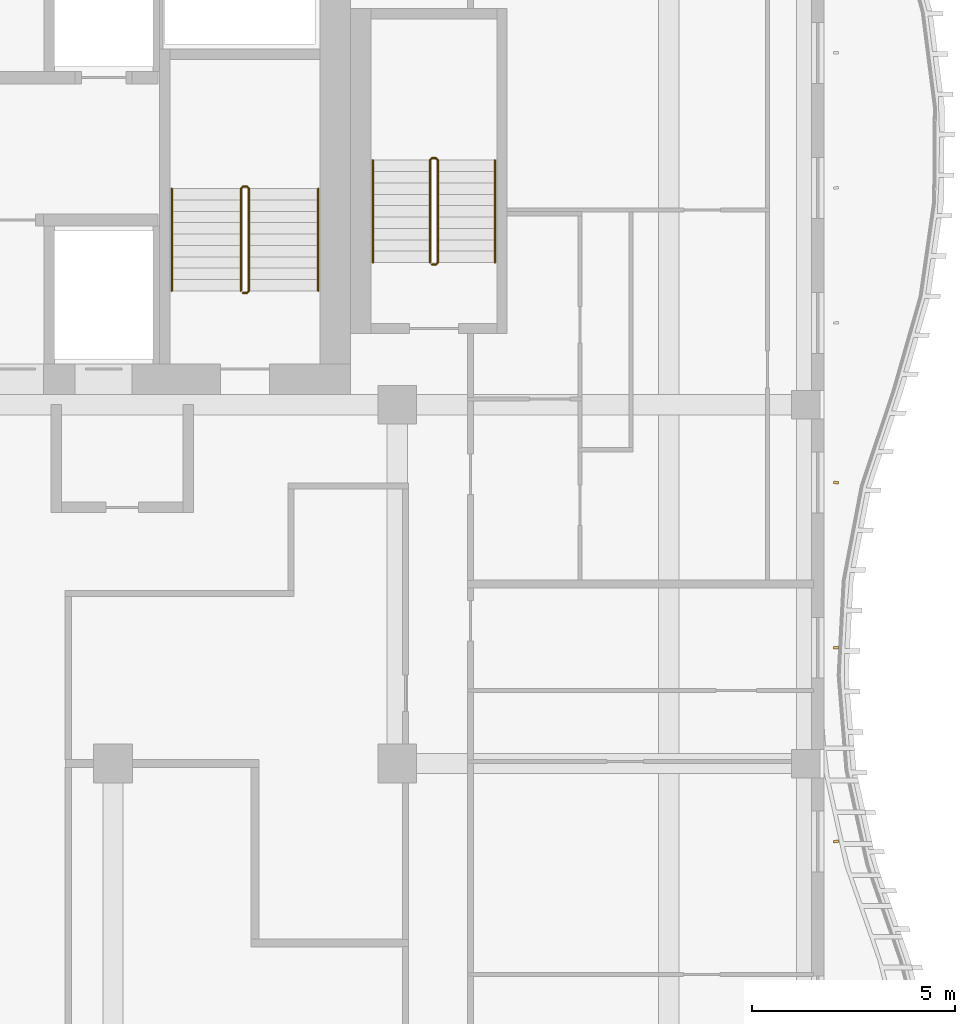
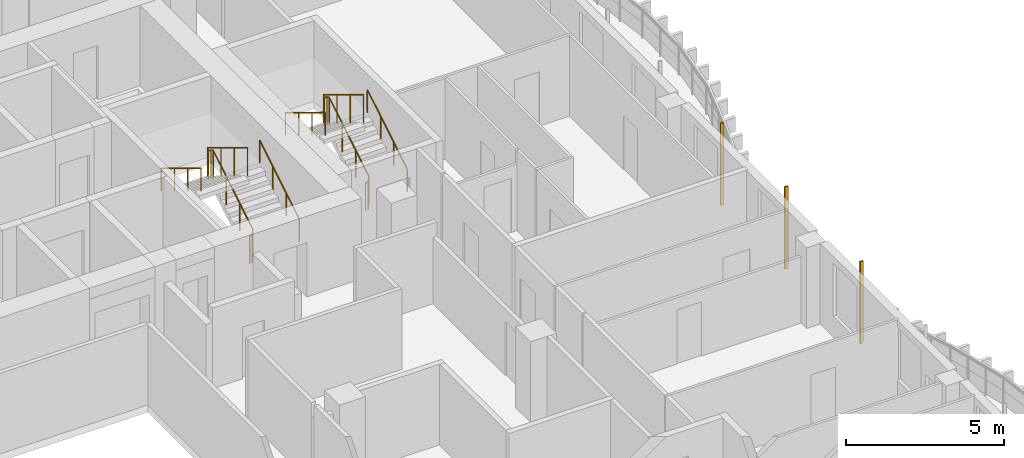
# One storey, part 17 of 19: 6 railings, 3 shading devices.
"""IFC4 building model written with IfcOpenShell, lengths in metres."""

from ifc_helpers import new_model, si_unit, direction, frame, origin, origin_2d, place, context, subcontext, project, spatial, rectangle, circle, extrude, source, transform, mapped, material, material_profile, profile_set, type_object, element, save


model = new_model("IFC4")

# Units and contexts
model_context = context("Model", 3, precision=1e-05, world=origin(), true_north=direction((0.0, 1.0)))
body_context = subcontext(model_context, "Body", "Model", "MODEL_VIEW")
ifc_project = project(units=[si_unit("LENGTHUNIT", "METRE"), si_unit("AREAUNIT", "SQUARE_METRE"), si_unit("VOLUMEUNIT", "CUBIC_METRE"), si_unit("PLANEANGLEUNIT", "RADIAN"), si_unit("MASSUNIT", "GRAM", prefix="KILO")], contexts=[model_context])

# Site, building, storey
site_placement = place(None, origin())
site = spatial("IfcSite", under=ifc_project, at=site_placement, CompositionType="ELEMENT")
building_placement = place(site_placement, origin())
building = spatial("IfcBuilding", under=site, at=building_placement, Name="Kilnfold Tower and Market Hall", CompositionType="ELEMENT")
storey_placement = place(building_placement, frame((0.0, 0.0, 252.60009765625)))
storey = spatial("IfcBuildingStorey", under=building, at=storey_placement, Name="L61", CompositionType="ELEMENT", Elevation=252.60009765625)

# Railings
ifc_material_1 = material(Name="Stainless steel 316", Category="steel")
railing_type_1 = type_object("IfcRailingType", Name="CORE STAIR GUARD 1100", PredefinedType="GUARDRAIL", material=ifc_material_1)
railing_1_placement = place(storey_placement, frame((15.199951171875, 10.75, 0.0)))
element("IfcRailing", 1, at=railing_1_placement, inside=storey, type_object=railing_type_1, Name="L61 ST2 stair guard 1", PredefinedType="GUARDRAIL", context=body_context, shape_type="SweptSolid", body=[
    extrude(circle(Radius=0.02392578125, at=origin_2d()), frame((0.0, 0.0, 1.076171875), z_axis=(1.0, 0.0, 0.0), x_axis=(0.0, 1.0, 0.0)), (0.0, 0.0, 1.0), 0.10009765625),
    extrude(circle(Radius=0.02392578125, at=origin_2d()), frame((0.10009765625, 0.0, 1.076171875), z_axis=(0.271895245746, 0.271895245746, 0.923117517265), x_axis=(-0.707106781187, 0.707106781187, 0.0)), (0.0, 0.0, 1.0), 0.18408203125),
    extrude(circle(Radius=0.02392578125, at=origin_2d()), frame((0.150146484375, 0.050048828125, 1.24609375), z_axis=(0.0, 0.85478489116, 0.518982456201), x_axis=(-1.0, 0.0, 0.0)), (0.0, 0.0, 1.0), 2.9482421875),
    extrude(circle(Radius=0.02392578125, at=origin_2d()), frame((0.150146484375, 2.570068359375, 2.77587890625), z_axis=(-0.707106781187, 0.707106781187, 0.0), x_axis=(-0.707106781187, -0.707106781187, 0.0)), (0.0, 0.0, 1.0), 0.07080078125),
    extrude(circle(Radius=0.02392578125, at=origin_2d()), frame((0.10009765625, 2.6201171875, 2.77587890625), z_axis=(-1.0, 0.0, 0.0), x_axis=(0.0, -1.0, 0.0)), (0.0, 0.0, 1.0), 0.10009765625),
    extrude(circle(Radius=0.02392578125, at=origin_2d()), frame((0.0, 2.6201171875, 2.77587890625), z_axis=(-0.271895245746, -0.271895245746, 0.923117517265), x_axis=(0.707106781187, -0.707106781187, 0.0)), (0.0, 0.0, 1.0), 0.18408203125),
    extrude(circle(Radius=0.02392578125, at=origin_2d()), frame((-0.050048828125, 2.570068359375, 2.94580078125), z_axis=(0.0, -0.85478489116, 0.518982456201), x_axis=(1.0, 0.0, 0.0)), (0.0, 0.0, 1.0), 2.9482421875),
    extrude(circle(Radius=0.02099609375, at=origin_2d()), origin(), (0.0, 0.0, 1.0), 1.052001953125),
    extrude(circle(Radius=0.02099609375, at=origin_2d()), frame((0.10009765625, 0.0, 0.0)), (0.0, 0.0, 1.0), 1.052001953125),
    extrude(circle(Radius=0.02099609375, at=origin_2d()), frame((0.150146484375, 0.050048828125, 0.169921875)), (0.0, 0.0, 1.0), 1.052001953125),
    extrude(circle(Radius=0.02099609375, at=origin_2d()), frame((0.150146484375, 0.89013671875, 0.679931640625)), (0.0, 0.0, 1.0), 1.052001953125),
    extrude(circle(Radius=0.02099609375, at=origin_2d()), frame((0.150146484375, 1.72998046875, 1.18994140625)), (0.0, 0.0, 1.0), 1.052001953125),
    extrude(circle(Radius=0.02099609375, at=origin_2d()), frame((0.150146484375, 2.570068359375, 1.699951171875)), (0.0, 0.0, 1.0), 1.052001953125),
    extrude(circle(Radius=0.02099609375, at=origin_2d()), frame((0.10009765625, 2.6201171875, 1.699951171875)), (0.0, 0.0, 1.0), 1.052001953125),
    extrude(circle(Radius=0.02099609375, at=origin_2d()), frame((0.0, 2.6201171875, 1.699951171875)), (0.0, 0.0, 1.0), 1.052001953125),
    extrude(circle(Radius=0.02099609375, at=origin_2d()), frame((-0.050048828125, 2.570068359375, 1.869873046875)), (0.0, 0.0, 1.0), 1.052001953125),
    extrude(circle(Radius=0.02099609375, at=origin_2d()), frame((-0.050048828125, 1.72998046875, 2.3798828125)), (0.0, 0.0, 1.0), 1.052001953125),
    extrude(circle(Radius=0.02099609375, at=origin_2d()), frame((-0.050048828125, 0.89013671875, 2.889892578125)), (0.0, 0.0, 1.0), 1.052001953125),
    extrude(circle(Radius=0.02099609375, at=origin_2d()), frame((-0.050048828125, 0.050048828125, 3.39990234375)), (0.0, 0.0, 1.0), 1.052001953125),
])
railing_2_placement = place(storey_placement, frame((19.85009765625, 11.449951171875, 0.0)))
element("IfcRailing", 2, at=railing_2_placement, inside=storey, type_object=railing_type_1, Name="L61 ST5 stair guard 1", PredefinedType="GUARDRAIL", context=body_context, shape_type="SweptSolid", body=[
    extrude(circle(Radius=0.02392578125, at=origin_2d()), frame((0.0, 0.0, 1.076171875), z_axis=(1.0, 0.0, 0.0), x_axis=(0.0, 1.0, 0.0)), (0.0, 0.0, 1.0), 0.099853515625),
    extrude(circle(Radius=0.02392578125, at=origin_2d()), frame((0.099853515625, 0.0, 1.076171875), z_axis=(0.271895245746, 0.271895245746, 0.923117517265), x_axis=(-0.707106781187, 0.707106781187, 0.0)), (0.0, 0.0, 1.0), 0.18408203125),
    extrude(circle(Radius=0.02392578125, at=origin_2d()), frame((0.14990234375, 0.050048828125, 1.24609375), z_axis=(0.0, 0.85478489116, 0.518982456201), x_axis=(-1.0, 0.0, 0.0)), (0.0, 0.0, 1.0), 2.9482421875),
    extrude(circle(Radius=0.02392578125, at=origin_2d()), frame((0.14990234375, 2.570068359375, 2.77587890625), z_axis=(-0.707106781187, 0.707106781187, 0.0), x_axis=(-0.707106781187, -0.707106781187, 0.0)), (0.0, 0.0, 1.0), 0.07080078125),
    extrude(circle(Radius=0.02392578125, at=origin_2d()), frame((0.099853515625, 2.6201171875, 2.77587890625), z_axis=(-1.0, 0.0, 0.0), x_axis=(0.0, -1.0, 0.0)), (0.0, 0.0, 1.0), 0.099853515625),
    extrude(circle(Radius=0.02392578125, at=origin_2d()), frame((0.0, 2.6201171875, 2.77587890625), z_axis=(-0.271895245746, -0.271895245746, 0.923117517265), x_axis=(0.707106781187, -0.707106781187, 0.0)), (0.0, 0.0, 1.0), 0.18408203125),
    extrude(circle(Radius=0.02392578125, at=origin_2d()), frame((-0.050048828125, 2.570068359375, 2.94580078125), z_axis=(0.0, -0.85478489116, 0.518982456201), x_axis=(1.0, 0.0, 0.0)), (0.0, 0.0, 1.0), 2.9482421875),
    extrude(circle(Radius=0.02099609375, at=origin_2d()), origin(), (0.0, 0.0, 1.0), 1.052001953125),
    extrude(circle(Radius=0.02099609375, at=origin_2d()), frame((0.099853515625, 0.0, 0.0)), (0.0, 0.0, 1.0), 1.052001953125),
    extrude(circle(Radius=0.02099609375, at=origin_2d()), frame((0.14990234375, 0.050048828125, 0.169921875)), (0.0, 0.0, 1.0), 1.052001953125),
    extrude(circle(Radius=0.02099609375, at=origin_2d()), frame((0.14990234375, 0.89013671875, 0.679931640625)), (0.0, 0.0, 1.0), 1.052001953125),
    extrude(circle(Radius=0.02099609375, at=origin_2d()), frame((0.14990234375, 1.72998046875, 1.18994140625)), (0.0, 0.0, 1.0), 1.052001953125),
    extrude(circle(Radius=0.02099609375, at=origin_2d()), frame((0.14990234375, 2.570068359375, 1.699951171875)), (0.0, 0.0, 1.0), 1.052001953125),
    extrude(circle(Radius=0.02099609375, at=origin_2d()), frame((0.099853515625, 2.6201171875, 1.699951171875)), (0.0, 0.0, 1.0), 1.052001953125),
    extrude(circle(Radius=0.02099609375, at=origin_2d()), frame((0.0, 2.6201171875, 1.699951171875)), (0.0, 0.0, 1.0), 1.052001953125),
    extrude(circle(Radius=0.02099609375, at=origin_2d()), frame((-0.050048828125, 2.570068359375, 1.869873046875)), (0.0, 0.0, 1.0), 1.052001953125),
    extrude(circle(Radius=0.02099609375, at=origin_2d()), frame((-0.050048828125, 1.72998046875, 2.3798828125)), (0.0, 0.0, 1.0), 1.052001953125),
    extrude(circle(Radius=0.02099609375, at=origin_2d()), frame((-0.050048828125, 0.89013671875, 2.889892578125)), (0.0, 0.0, 1.0), 1.052001953125),
    extrude(circle(Radius=0.02099609375, at=origin_2d()), frame((-0.050048828125, 0.050048828125, 3.39990234375)), (0.0, 0.0, 1.0), 1.052001953125),
])
ifc_material_2 = material(Name="Stainless steel 316", Category="steel")
railing_type_2 = type_object("IfcRailingType", Name="CORE STAIR HANDRAIL 900", PredefinedType="HANDRAIL", material=ifc_material_2)
railing_3_placement = place(storey_placement, frame((17.050048828125, 10.800048828125, 0.169921875)))
element("IfcRailing", 3, at=railing_3_placement, inside=storey, type_object=railing_type_2, Name="L61 ST2 stair handrail 1", PredefinedType="HANDRAIL", context=body_context, shape_type="SweptSolid", body=[
    extrude(circle(Radius=0.02392578125, at=origin_2d()), frame((0.0, 0.0, 0.8759765625), z_axis=(0.0, 0.85478489116, 0.518982456201), x_axis=(-1.0, 0.0, 0.0)), (0.0, 0.0, 1.0), 2.9482421875),
    extrude(circle(Radius=0.02099609375, at=origin_2d()), origin(), (0.0, 0.0, 1.0), 0.851806640625),
    extrude(circle(Radius=0.02099609375, at=origin_2d()), frame((0.0, 0.840087890625, 0.510009765625)), (0.0, 0.0, 1.0), 0.851806640625),
    extrude(circle(Radius=0.02099609375, at=origin_2d()), frame((0.0, 1.679931640625, 1.02001953125)), (0.0, 0.0, 1.0), 0.851806640625),
    extrude(circle(Radius=0.02099609375, at=origin_2d()), frame((0.0, 2.52001953125, 1.530029296875)), (0.0, 0.0, 1.0), 0.851806640625),
])
railing_4_placement = place(storey_placement, frame((13.449951171875, 13.320068359375, 1.869873046875)))
element("IfcRailing", 4, at=railing_4_placement, inside=storey, type_object=railing_type_2, Name="L61 ST2 stair handrail 2", PredefinedType="HANDRAIL", context=body_context, shape_type="SweptSolid", body=[
    extrude(circle(Radius=0.02392578125, at=origin_2d()), frame((0.0, 0.0, 0.8759765625), z_axis=(0.0, -0.85478489116, 0.518982456201), x_axis=(1.0, 0.0, 0.0)), (0.0, 0.0, 1.0), 2.9482421875),
    extrude(circle(Radius=0.02099609375, at=origin_2d()), origin(), (0.0, 0.0, 1.0), 0.851806640625),
    extrude(circle(Radius=0.02099609375, at=origin_2d()), frame((0.0, -0.840087890625, 0.510009765625)), (0.0, 0.0, 1.0), 0.851806640625),
    extrude(circle(Radius=0.02099609375, at=origin_2d()), frame((0.0, -1.679931640625, 1.02001953125)), (0.0, 0.0, 1.0), 0.851806640625),
    extrude(circle(Radius=0.02099609375, at=origin_2d()), frame((0.0, -2.52001953125, 1.530029296875)), (0.0, 0.0, 1.0), 0.851806640625),
])
railing_5_placement = place(storey_placement, frame((21.39990234375, 11.5, 0.169921875)))
element("IfcRailing", 5, at=railing_5_placement, inside=storey, type_object=railing_type_2, Name="L61 ST5 stair handrail 1", PredefinedType="HANDRAIL", context=body_context, shape_type="SweptSolid", body=[
    extrude(circle(Radius=0.02392578125, at=origin_2d()), frame((0.0, 0.0, 0.8759765625), z_axis=(0.0, 0.85478489116, 0.518982456201), x_axis=(-1.0, 0.0, 0.0)), (0.0, 0.0, 1.0), 2.9482421875),
    extrude(circle(Radius=0.02099609375, at=origin_2d()), origin(), (0.0, 0.0, 1.0), 0.851806640625),
    extrude(circle(Radius=0.02099609375, at=origin_2d()), frame((0.0, 0.840087890625, 0.510009765625)), (0.0, 0.0, 1.0), 0.851806640625),
    extrude(circle(Radius=0.02099609375, at=origin_2d()), frame((0.0, 1.679931640625, 1.02001953125)), (0.0, 0.0, 1.0), 0.851806640625),
    extrude(circle(Radius=0.02099609375, at=origin_2d()), frame((0.0, 2.52001953125, 1.530029296875)), (0.0, 0.0, 1.0), 0.851806640625),
])
railing_6_placement = place(storey_placement, frame((18.39990234375, 14.02001953125, 1.869873046875)))
element("IfcRailing", 6, at=railing_6_placement, inside=storey, type_object=railing_type_2, Name="L61 ST5 stair handrail 2", PredefinedType="HANDRAIL", context=body_context, shape_type="SweptSolid", body=[
    extrude(circle(Radius=0.02392578125, at=origin_2d()), frame((0.0, 0.0, 0.8759765625), z_axis=(0.0, -0.85478489116, 0.518982456201), x_axis=(1.0, 0.0, 0.0)), (0.0, 0.0, 1.0), 2.9482421875),
    extrude(circle(Radius=0.02099609375, at=origin_2d()), origin(), (0.0, 0.0, 1.0), 0.851806640625),
    extrude(circle(Radius=0.02099609375, at=origin_2d()), frame((0.0, -0.840087890625, 0.510009765625)), (0.0, 0.0, 1.0), 0.851806640625),
    extrude(circle(Radius=0.02099609375, at=origin_2d()), frame((0.0, -1.679931640625, 1.02001953125)), (0.0, 0.0, 1.0), 0.851806640625),
    extrude(circle(Radius=0.02099609375, at=origin_2d()), frame((0.0, -2.52001953125, 1.530029296875)), (0.0, 0.0, 1.0), 0.851806640625),
])

# Shading devices
ifc_material_3 = material(Name="Terracotta", Category="masonry")
ifc_material_profile = material_profile(ifc_material_3, rectangle(XDim=0.06005859375, YDim=0.1201171875, at=origin_2d()), Name="BAG 60x120")
ifc_profile_set = profile_set([ifc_material_profile], Name="Terracotta")
shading_device_type = type_object("IfcShadingDeviceType", Name="BAGUETTE", PredefinedType="USERDEFINED", material=ifc_profile_set)
shared_shape = source(origin(), body_context, "Body", "SweptSolid", [
    extrude(rectangle(XDim=0.06005859375, YDim=0.1201171875, at=origin_2d()), origin(), (0.0, 0.0, 1.0), 3.179931640625),
])
for number, where, z_axis, x_axis, name in (
    (7, (29.800048828125, -2.75, 0.0), (0.0, 0.0, 1.0), (-0.100134228488, 0.99497393749, 0.0), "Terracotta baguette L61 E"),
    (8, (29.800048828125, 2.0166015625, 0.0), (0.0, 0.0, 1.0), (-0.027853597357, 0.99961201329, 0.0), "Terracotta baguette L61 E"),
    (9, (29.800048828125, 6.083251953125, 0.0), (0.0, 0.0, 1.0), (0.13897606701, 0.990295740069, 0.0), "Terracotta baguette L61 E"),
):
    element("IfcShadingDevice", number, at=place(storey_placement, frame(where, z_axis=z_axis, x_axis=x_axis)), inside=storey, type_object=shading_device_type, Name=name, ObjectType="BAGUETTE", PredefinedType="USERDEFINED", context=body_context, shape_type="MappedRepresentation", body=[
        mapped(shared_shape, transform((0.0, 0.0, 0.0))),
    ])

save(model, "model.ifc")
